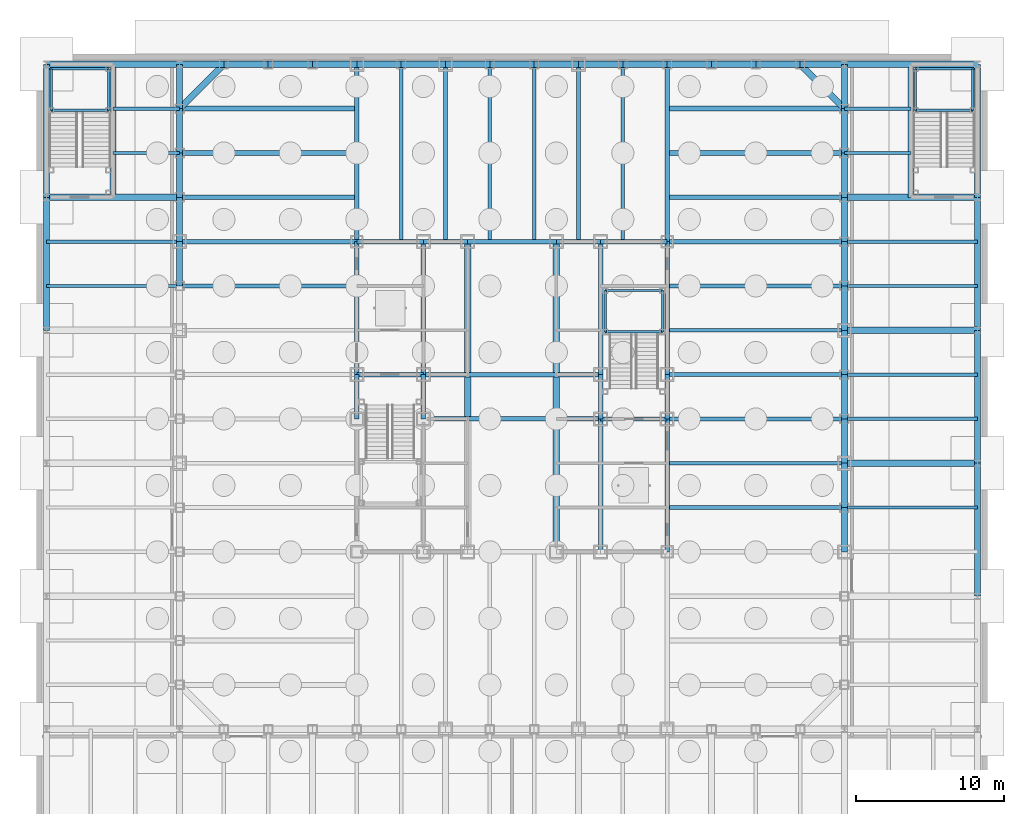
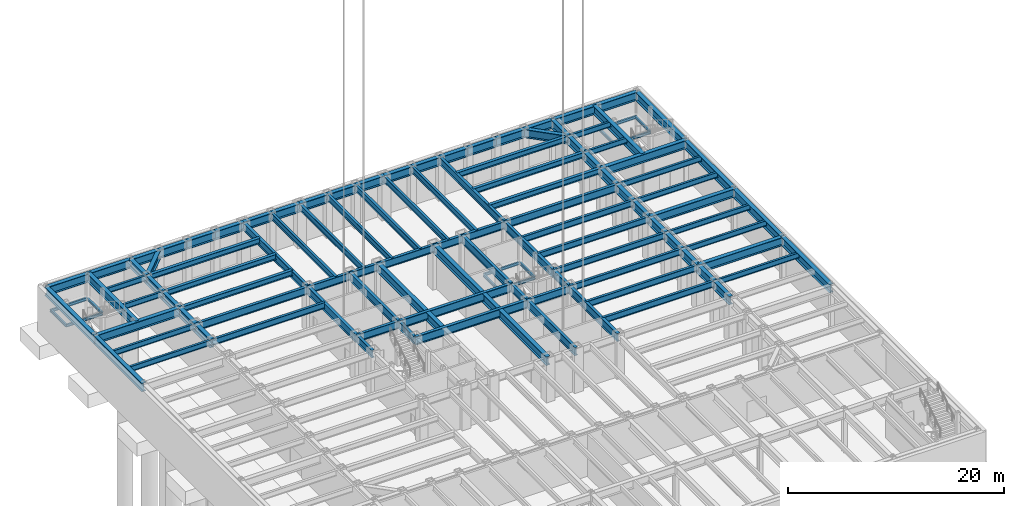
# One storey, part 5 of 18: 117 beams.
"""IFC4 building model written with IfcOpenShell, lengths in metres."""

from ifc_helpers import new_model, si_unit, direction, frame, origin, origin_2d, place, context, subcontext, project, spatial, i_section, extrude, material, material_profile, profile_set, type_object, element, save


model = new_model("IFC4")

# Units and contexts
model_context = context("Model", 3, precision=1e-05, world=origin(), true_north=direction((0.0, 1.0)))
body_context = subcontext(model_context, "Body", "Model", "MODEL_VIEW")
ifc_project = project(units=[si_unit("LENGTHUNIT", "METRE"), si_unit("AREAUNIT", "SQUARE_METRE"), si_unit("VOLUMEUNIT", "CUBIC_METRE"), si_unit("PLANEANGLEUNIT", "RADIAN"), si_unit("MASSUNIT", "GRAM", prefix="KILO")], contexts=[model_context])

# Site, building, storey
site_placement = place(None, origin())
site = spatial("IfcSite", under=ifc_project, at=site_placement, CompositionType="ELEMENT")
building_placement = place(site_placement, origin())
building = spatial("IfcBuilding", under=site, at=building_placement, Name="Chuquiago Exchange Tower", CompositionType="ELEMENT")
storey_placement = place(building_placement, frame((0.0, 0.0, -5.0)))
storey = spatial("IfcBuildingStorey", under=building, at=storey_placement, Name="B1", CompositionType="ELEMENT", Elevation=-5.0)

# Beams
ifc_material_1 = material(Name="Steel ASTM A992", Category="steel")
ifc_material_profile_1 = material_profile(ifc_material_1, i_section(OverallWidth=0.307373046875, OverallDepth=0.927001953125, WebThickness=0.01953125, FlangeThickness=0.031982421875, at=origin_2d()), Name="W36X194")
ifc_profile_set_1 = profile_set([ifc_material_profile_1], Name="Steel ASTM A992")
beam_type_1 = type_object("IfcBeamType", Name="B10 W36X194", PredefinedType="BEAM", material=ifc_profile_set_1)
for number, where, z_axis, x_axis, name in (
    (1, (12.0, 24.0, 4.33642578125), (0.0, 1.0, 0.0), (-1.0, 0.0, 0.0), "CB-L00-12_24-12_33"),
    (2, (16.5, 24.0, 4.33642578125), (0.0, 1.0, 0.0), (-1.0, 0.0, 0.0), "CB-L00-16.5_24-16.5_33"),
    (3, (28.5, 12.0, 4.33642578125), (0.0, 1.0, 0.0), (-1.0, 0.0, 0.0), "CB-L00-28.5_12-28.5_21"),
    (4, (28.5, 24.0, 4.33642578125), (0.0, 1.0, 0.0), (-1.0, 0.0, 0.0), "CB-L00-28.5_24-28.5_33"),
    (5, (33.0, 12.0, 4.33642578125), (0.0, 1.0, 0.0), (-1.0, 0.0, 0.0), "CB-L00-33_12-33_21"),
    (6, (33.0, 24.0, 4.33642578125), (0.0, 1.0, 0.0), (-1.0, 0.0, 0.0), "CB-L00-33_24-33_33"),
):
    element("IfcBeam", number, at=place(storey_placement, frame(where, z_axis=z_axis, x_axis=x_axis)), inside=storey, type_object=beam_type_1, Name=name, PredefinedType="BEAM", context=body_context, shape_type="SweptSolid", body=[
        extrude(i_section(OverallWidth=0.307373046875, OverallDepth=0.927001953125, WebThickness=0.01953125, FlangeThickness=0.031982421875, at=origin_2d()), origin(), (0.0, 0.0, 1.0), 9.0),
    ])
ifc_material_2 = material(Name="Steel ASTM A992", Category="steel")
ifc_material_profile_2 = material_profile(ifc_material_2, i_section(OverallWidth=0.309814453125, OverallDepth=0.949951171875, WebThickness=0.0244140625, FlangeThickness=0.0439453125, at=origin_2d()), Name="W36X256")
ifc_profile_set_2 = profile_set([ifc_material_profile_2], Name="Steel ASTM A992")
beam_type_2 = type_object("IfcBeamType", Name="B11 W36X256", PredefinedType="BEAM", material=ifc_profile_set_2)
for number, where, z_axis, x_axis, name in (
    (7, (16.5, 21.0, 4.324951171875), (1.0, 0.0, 0.0), (0.0, 1.0, 0.0), "CB-L00-16.5_21-28.5_21"),
    (8, (16.5, 24.0, 4.324951171875), (1.0, 0.0, 0.0), (0.0, 1.0, 0.0), "CB-L00-16.5_24-28.5_24"),
):
    element("IfcBeam", number, at=place(storey_placement, frame(where, z_axis=z_axis, x_axis=x_axis)), inside=storey, type_object=beam_type_2, Name=name, PredefinedType="BEAM", context=body_context, shape_type="SweptSolid", body=[
        extrude(i_section(OverallWidth=0.309814453125, OverallDepth=0.949951171875, WebThickness=0.0244140625, FlangeThickness=0.0439453125, at=origin_2d()), origin(), (0.0, 0.0, 1.0), 12.0),
    ])
ifc_material_3 = material(Name="Steel ASTM A992", Category="steel")
ifc_material_profile_3 = material_profile(ifc_material_3, i_section(OverallWidth=0.4267578125, OverallDepth=0.975341796875, WebThickness=0.031005859375, FlangeThickness=0.055908203125, at=origin_2d()), Name="W36X395")
ifc_profile_set_3 = profile_set([ifc_material_profile_3], Name="Steel ASTM A992")
beam_type_3 = type_object("IfcBeamType", Name="B12 W36X395", PredefinedType="BEAM", material=ifc_profile_set_3)
beam_1_placement = place(storey_placement, frame((19.5, 21.15478515625, 4.312255859375), z_axis=(0.0, 1.0, 0.0), x_axis=(-1.0, 0.0, 0.0)))
element("IfcBeam", 9, at=beam_1_placement, inside=storey, type_object=beam_type_3, Name="CB-L00-19.5_21.1549-19.5_23.8451", PredefinedType="BEAM", context=body_context, shape_type="SweptSolid", body=[
    extrude(i_section(OverallWidth=0.4267578125, OverallDepth=0.975341796875, WebThickness=0.031005859375, FlangeThickness=0.055908203125, at=origin_2d()), origin(), (0.0, 0.0, 1.0), 2.6904296875),
])
for number, where, z_axis, x_axis, name in (
    (10, (19.5, 24.15478515625, 4.312255859375), (0.0, 1.0, 0.0), (-1.0, 0.0, 0.0), "CB-L00-19.5_24.1549-19.5_33"),
    (11, (25.5, 12.0, 4.312255859375), (0.0, 1.0, 0.0), (-1.0, 0.0, 0.0), "CB-L00-25.5_12-25.5_20.8451"),
):
    element("IfcBeam", number, at=place(storey_placement, frame(where, z_axis=z_axis, x_axis=x_axis)), inside=storey, type_object=beam_type_3, Name=name, PredefinedType="BEAM", context=body_context, shape_type="SweptSolid", body=[
        extrude(i_section(OverallWidth=0.4267578125, OverallDepth=0.975341796875, WebThickness=0.031005859375, FlangeThickness=0.055908203125, at=origin_2d()), origin(), (0.0, 0.0, 1.0), 8.84521484375),
    ])
beam_2_placement = place(storey_placement, frame((25.5, 21.15478515625, 4.312255859375), z_axis=(0.0, 1.0, 0.0), x_axis=(-1.0, 0.0, 0.0)))
element("IfcBeam", 12, at=beam_2_placement, inside=storey, type_object=beam_type_3, Name="CB-L00-25.5_21.1549-25.5_23.8451", PredefinedType="BEAM", context=body_context, shape_type="SweptSolid", body=[
    extrude(i_section(OverallWidth=0.4267578125, OverallDepth=0.975341796875, WebThickness=0.031005859375, FlangeThickness=0.055908203125, at=origin_2d()), origin(), (0.0, 0.0, 1.0), 2.6904296875),
])
beam_3_placement = place(storey_placement, frame((25.5, 24.15478515625, 4.312255859375), z_axis=(0.0, 1.0, 0.0), x_axis=(-1.0, 0.0, 0.0)))
element("IfcBeam", 13, at=beam_3_placement, inside=storey, type_object=beam_type_3, Name="CB-L00-25.5_24.1549-25.5_33", PredefinedType="BEAM", context=body_context, shape_type="SweptSolid", body=[
    extrude(i_section(OverallWidth=0.4267578125, OverallDepth=0.975341796875, WebThickness=0.031005859375, FlangeThickness=0.055908203125, at=origin_2d()), origin(), (0.0, 0.0, 1.0), 8.84521484375),
])
ifc_material_4 = material(Name="Steel ASTM A992", Category="steel")
ifc_material_profile_4 = material_profile(ifc_material_4, i_section(OverallWidth=0.2919921875, OverallDepth=0.8583984375, WebThickness=0.01708984375, FlangeThickness=0.031005859375, at=origin_2d()), Name="W33X169")
ifc_profile_set_4 = profile_set([ifc_material_profile_4], Name="Steel ASTM A992")
beam_type_4 = type_object("IfcBeamType", Name="B3 W33X169", PredefinedType="BEAM", material=ifc_profile_set_4)
for number, where, z_axis, x_axis, name in (
    (14, (12.0, 21.0, 4.37060546875), (0.0, 1.0, 0.0), (-1.0, 0.0, 0.0), "CB-L00-12_21-12_24"),
    (15, (16.5, 21.0, 4.37060546875), (0.0, 1.0, 0.0), (-1.0, 0.0, 0.0), "CB-L00-16.5_21-16.5_24"),
    (16, (28.5, 21.0, 4.37060546875), (0.0, 1.0, 0.0), (-1.0, 0.0, 0.0), "CB-L00-28.5_21-28.5_24"),
    (17, (33.0, 21.0, 4.37060546875), (0.0, 1.0, 0.0), (-1.0, 0.0, 0.0), "CB-L00-33_21-33_24"),
):
    element("IfcBeam", number, at=place(storey_placement, frame(where, z_axis=z_axis, x_axis=x_axis)), inside=storey, type_object=beam_type_4, Name=name, PredefinedType="BEAM", context=body_context, shape_type="SweptSolid", body=[
        extrude(i_section(OverallWidth=0.2919921875, OverallDepth=0.8583984375, WebThickness=0.01708984375, FlangeThickness=0.031005859375, at=origin_2d()), origin(), (0.0, 0.0, 1.0), 3.0),
    ])
for number, where, z_axis, x_axis, name in (
    (18, (28.5, 21.0, 4.37060546875), (1.0, 0.0, 0.0), (0.0, 1.0, 0.0), "CB-L00-28.5_21-33_21"),
    (19, (12.0, 24.0, 4.37060546875), (1.0, 0.0, 0.0), (0.0, 1.0, 0.0), "CB-L00-12_24-16.5_24"),
    (20, (12.0, 33.0, 4.37060546875), (1.0, 0.0, 0.0), (0.0, 1.0, 0.0), "CB-L00-12_33-16.5_33"),
):
    element("IfcBeam", number, at=place(storey_placement, frame(where, z_axis=z_axis, x_axis=x_axis)), inside=storey, type_object=beam_type_4, Name=name, PredefinedType="BEAM", context=body_context, shape_type="SweptSolid", body=[
        extrude(i_section(OverallWidth=0.2919921875, OverallDepth=0.8583984375, WebThickness=0.01708984375, FlangeThickness=0.031005859375, at=origin_2d()), origin(), (0.0, 0.0, 1.0), 4.5),
    ])
beam_4_placement = place(storey_placement, frame((16.5, 33.0, 4.37060546875), z_axis=(1.0, 0.0, 0.0), x_axis=(0.0, 1.0, 0.0)))
element("IfcBeam", 21, at=beam_4_placement, inside=storey, type_object=beam_type_4, Name="CB-L00-16.5_33-19.5_33", PredefinedType="BEAM", context=body_context, shape_type="SweptSolid", body=[
    extrude(i_section(OverallWidth=0.2919921875, OverallDepth=0.8583984375, WebThickness=0.01708984375, FlangeThickness=0.031005859375, at=origin_2d()), origin(), (0.0, 0.0, 1.0), 3.0),
])
beam_5_placement = place(storey_placement, frame((19.5, 33.0, 4.37060546875), z_axis=(1.0, 0.0, 0.0), x_axis=(0.0, 1.0, 0.0)))
element("IfcBeam", 22, at=beam_5_placement, inside=storey, type_object=beam_type_4, Name="CB-L00-19.5_33-25.5_33", PredefinedType="BEAM", context=body_context, shape_type="SweptSolid", body=[
    extrude(i_section(OverallWidth=0.2919921875, OverallDepth=0.8583984375, WebThickness=0.01708984375, FlangeThickness=0.031005859375, at=origin_2d()), origin(), (0.0, 0.0, 1.0), 6.0),
])
beam_6_placement = place(storey_placement, frame((25.5, 33.0, 4.37060546875), z_axis=(1.0, 0.0, 0.0), x_axis=(0.0, 1.0, 0.0)))
element("IfcBeam", 23, at=beam_6_placement, inside=storey, type_object=beam_type_4, Name="CB-L00-25.5_33-28.5_33", PredefinedType="BEAM", context=body_context, shape_type="SweptSolid", body=[
    extrude(i_section(OverallWidth=0.2919921875, OverallDepth=0.8583984375, WebThickness=0.01708984375, FlangeThickness=0.031005859375, at=origin_2d()), origin(), (0.0, 0.0, 1.0), 3.0),
])
beam_7_placement = place(storey_placement, frame((28.5, 33.0, 4.37060546875), z_axis=(1.0, 0.0, 0.0), x_axis=(0.0, 1.0, 0.0)))
element("IfcBeam", 24, at=beam_7_placement, inside=storey, type_object=beam_type_4, Name="CB-L00-28.5_33-33_33", PredefinedType="BEAM", context=body_context, shape_type="SweptSolid", body=[
    extrude(i_section(OverallWidth=0.2919921875, OverallDepth=0.8583984375, WebThickness=0.01708984375, FlangeThickness=0.031005859375, at=origin_2d()), origin(), (0.0, 0.0, 1.0), 4.5),
])
ifc_material_5 = material(Name="Steel ASTM A992", Category="steel")
ifc_material_profile_5 = material_profile(ifc_material_5, i_section(OverallWidth=0.256591796875, OverallDepth=0.693359375, WebThickness=0.014404296875, FlangeThickness=0.023681640625, at=origin_2d()), Name="W27X114")
ifc_profile_set_5 = profile_set([ifc_material_profile_5], Name="Steel ASTM A992")
beam_type_5 = type_object("IfcBeamType", Name="B4 W27X114", PredefinedType="BEAM", material=ifc_profile_set_5)
for number, where, z_axis, x_axis, name in (
    (25, (15.0, 33.0, 4.453369140625), (0.0, 1.0, 0.0), (-1.0, 0.0, 0.0), "FB-L00-infill-15_33-15_45-0"),
    (26, (18.0, 33.0, 4.453369140625), (0.0, 1.0, 0.0), (-1.0, 0.0, 0.0), "FB-L00-infill-18_33-18_45-0"),
    (27, (21.0, 33.0, 4.453369140625), (0.0, 1.0, 0.0), (-1.0, 0.0, 0.0), "FB-L00-infill-21_33-21_45-0"),
    (28, (24.0, 33.0, 4.453369140625), (0.0, 1.0, 0.0), (-1.0, 0.0, 0.0), "FB-L00-infill-24_33-24_45-0"),
    (29, (27.0, 33.0, 4.453369140625), (0.0, 1.0, 0.0), (-1.0, 0.0, 0.0), "FB-L00-infill-27_33-27_45-0"),
    (30, (30.0, 33.0, 4.453369140625), (0.0, 1.0, 0.0), (-1.0, 0.0, 0.0), "FB-L00-infill-30_33-30_45-0"),
    (31, (33.0, 15.0, 4.453369140625), (1.0, 0.0, 0.0), (0.0, 1.0, 0.0), "FB-L00-infill-33_15-45_15-0"),
    (32, (33.0, 18.0, 4.453369140625), (1.0, 0.0, 0.0), (0.0, 1.0, 0.0), "FB-L00-infill-33_18-45_18-0"),
    (33, (33.0, 21.0, 4.453369140625), (1.0, 0.0, 0.0), (0.0, 1.0, 0.0), "FB-L00-infill-33_21-45_21-0"),
    (34, (33.0, 24.0, 4.453369140625), (1.0, 0.0, 0.0), (0.0, 1.0, 0.0), "FB-L00-infill-33_24-45_24-0"),
    (35, (33.0, 27.0, 4.453369140625), (1.0, 0.0, 0.0), (0.0, 1.0, 0.0), "FB-L00-infill-33_27-45_27-0"),
    (36, (33.0, 30.0, 4.453369140625), (1.0, 0.0, 0.0), (0.0, 1.0, 0.0), "FB-L00-infill-33_30-45_30-0"),
    (37, (12.0, 30.0, 4.453369140625), (-1.0, 0.0, 0.0), (0.0, -1.0, 0.0), "FB-L00-infill-12_30--0_30-0"),
):
    element("IfcBeam", number, at=place(storey_placement, frame(where, z_axis=z_axis, x_axis=x_axis)), inside=storey, type_object=beam_type_5, Name=name, PredefinedType="BEAM", context=body_context, shape_type="SweptSolid", body=[
        extrude(i_section(OverallWidth=0.256591796875, OverallDepth=0.693359375, WebThickness=0.014404296875, FlangeThickness=0.023681640625, at=origin_2d()), origin(), (0.0, 0.0, 1.0), 12.0),
    ])
ifc_material_6 = material(Name="Steel ASTM A992", Category="steel")
ifc_material_profile_6 = material_profile(ifc_material_6, i_section(OverallWidth=0.3251953125, OverallDepth=0.6171875, WebThickness=0.013916015625, FlangeThickness=0.021484375, at=origin_2d()), Name="W24X117")
ifc_profile_set_6 = profile_set([ifc_material_profile_6], Name="Steel ASTM A992")
beam_type_6 = type_object("IfcBeamType", Name="B5 W24X117", PredefinedType="BEAM", material=ifc_profile_set_6)
for number, where, z_axis, x_axis, name in (
    (38, (12.0, 36.0, 4.491455078125), (-1.0, 0.0, 0.0), (0.0, -1.0, 0.0), "FB-L00-corner-12_36--0_36-0"),
    (39, (12.0, 39.0, 4.491455078125), (-1.0, 0.0, 0.0), (0.0, -1.0, 0.0), "FB-L00-corner-12_39--0_39-0"),
    (40, (12.0, 42.0, 4.491455078125), (-1.0, 0.0, 0.0), (0.0, -1.0, 0.0), "FB-L00-corner-12_42--0_42-0"),
    (41, (33.0, 36.0, 4.491455078125), (1.0, 0.0, 0.0), (0.0, 1.0, 0.0), "FB-L00-corner-33_36-45_36-0"),
    (42, (33.0, 39.0, 4.491455078125), (1.0, 0.0, 0.0), (0.0, 1.0, 0.0), "FB-L00-corner-33_39-45_39-0"),
    (43, (33.0, 42.0, 4.491455078125), (1.0, 0.0, 0.0), (0.0, 1.0, 0.0), "FB-L00-corner-33_42-45_42-0"),
):
    element("IfcBeam", number, at=place(storey_placement, frame(where, z_axis=z_axis, x_axis=x_axis)), inside=storey, type_object=beam_type_6, Name=name, PredefinedType="BEAM", context=body_context, shape_type="SweptSolid", body=[
        extrude(i_section(OverallWidth=0.3251953125, OverallDepth=0.6171875, WebThickness=0.013916015625, FlangeThickness=0.021484375, at=origin_2d()), origin(), (0.0, 0.0, 1.0), 12.0),
    ])
ifc_material_7 = material(Name="Steel ASTM A992", Category="steel")
ifc_material_profile_7 = material_profile(ifc_material_7, i_section(OverallWidth=0.2919921875, OverallDepth=0.8583984375, WebThickness=0.01708984375, FlangeThickness=0.031005859375, at=origin_2d()), Name="W33X169")
ifc_profile_set_7 = profile_set([ifc_material_profile_7], Name="Steel ASTM A992")
beam_type_7 = type_object("IfcBeamType", Name="G2 W33X169", PredefinedType="BEAM", material=ifc_profile_set_7)
for number, where, z_axis, x_axis, name in (
    (44, (12.0, 33.0, 4.37060546875), (0.0, 1.0, 0.0), (-1.0, 0.0, 0.0), "FB-L00-girder-12_33-12_45-0"),
    (45, (33.0, 33.0, 4.37060546875), (0.0, 1.0, 0.0), (-1.0, 0.0, 0.0), "FB-L00-girder-33_33-33_45-0"),
    (46, (33.0, 33.0, 4.37060546875), (1.0, 0.0, 0.0), (0.0, 1.0, 0.0), "FB-L00-girder-33_33-45_33-0"),
    (47, (12.0, 33.0, 4.37060546875), (-1.0, 0.0, 0.0), (0.0, -1.0, 0.0), "FB-L00-girder-12_33--0_33-0"),
):
    element("IfcBeam", number, at=place(storey_placement, frame(where, z_axis=z_axis, x_axis=x_axis)), inside=storey, type_object=beam_type_7, Name=name, PredefinedType="BEAM", context=body_context, shape_type="SweptSolid", body=[
        extrude(i_section(OverallWidth=0.2919921875, OverallDepth=0.8583984375, WebThickness=0.01708984375, FlangeThickness=0.031005859375, at=origin_2d()), origin(), (0.0, 0.0, 1.0), 12.0),
    ])
ifc_material_8 = material(Name="Steel ASTM A992", Category="steel")
ifc_material_profile_8 = material_profile(ifc_material_8, i_section(OverallWidth=0.164794921875, OverallDepth=0.309814453125, WebThickness=0.005859375, FlangeThickness=0.009765625, at=origin_2d()), Name="W12X26")
ifc_profile_set_8 = profile_set([ifc_material_profile_8], Name="Steel ASTM A992")
beam_type_8 = type_object("IfcBeamType", Name="LS1 W12X26", PredefinedType="BEAM", material=ifc_profile_set_8)
for number, where, z_axis, x_axis, name in (
    (48, (28.81005859375, 26.889892578125, 2.14501953125), (0.0, 1.0, 0.0), (-1.0, 0.0, 0.0), "Stair ST2 B1 landing 1 stringer"),
    (49, (32.68994140625, 26.889892578125, 2.14501953125), (0.0, 1.0, 0.0), (-1.0, 0.0, 0.0), "Stair ST2 B1 landing 1 stringer"),
    (50, (-8.68994140625, 41.889892578125, 2.14501953125), (0.0, 1.0, 0.0), (-1.0, 0.0, 0.0), "Stair PS3 B1 landing 1 stringer"),
    (51, (-4.81005859375, 41.889892578125, 2.14501953125), (0.0, 1.0, 0.0), (-1.0, 0.0, 0.0), "Stair PS3 B1 landing 1 stringer"),
    (52, (49.81005859375, 41.889892578125, 2.14501953125), (0.0, 1.0, 0.0), (-1.0, 0.0, 0.0), "Stair PS4 B1 landing 1 stringer"),
    (53, (53.68994140625, 41.889892578125, 2.14501953125), (0.0, 1.0, 0.0), (-1.0, 0.0, 0.0), "Stair PS4 B1 landing 1 stringer"),
):
    element("IfcBeam", number, at=place(storey_placement, frame(where, z_axis=z_axis, x_axis=x_axis)), inside=storey, type_object=beam_type_8, Name=name, PredefinedType="BEAM", context=body_context, shape_type="SweptSolid", body=[
        extrude(i_section(OverallWidth=0.164794921875, OverallDepth=0.309814453125, WebThickness=0.005859375, FlangeThickness=0.009765625, at=origin_2d()), origin(), (0.0, 0.0, 1.0), 2.800048828125),
    ])
ifc_material_9 = material(Name="Steel ASTM A992", Category="steel")
ifc_material_profile_9 = material_profile(ifc_material_9, i_section(OverallWidth=0.164794921875, OverallDepth=0.309814453125, WebThickness=0.005859375, FlangeThickness=0.009765625, at=origin_2d()), Name="W12X26")
ifc_profile_set_9 = profile_set([ifc_material_profile_9], Name="Steel ASTM A992")
beam_type_9 = type_object("IfcBeamType", Name="LT1 W12X26", PredefinedType="BEAM", material=ifc_profile_set_9)
for number, where, z_axis, x_axis, name in (
    (54, (28.81005859375, 29.68994140625, 2.14501953125), (1.0, 0.0, 0.0), (0.0, 1.0, 0.0), "Stair ST2 B1 landing 1 trimmer"),
    (55, (28.81005859375, 26.889892578125, 2.14501953125), (1.0, 0.0, 0.0), (0.0, 1.0, 0.0), "Stair ST2 B1 landing 1 trimmer"),
):
    element("IfcBeam", number, at=place(storey_placement, frame(where, z_axis=z_axis, x_axis=x_axis)), inside=storey, type_object=beam_type_9, Name=name, PredefinedType="BEAM", context=body_context, shape_type="SweptSolid", body=[
        extrude(i_section(OverallWidth=0.164794921875, OverallDepth=0.309814453125, WebThickness=0.005859375, FlangeThickness=0.009765625, at=origin_2d()), origin(), (0.0, 0.0, 1.0), 3.8798828125),
    ])
beam_8_placement = place(storey_placement, frame((-8.814208984375, 44.68994140625, 2.14501953125), z_axis=(1.0, 0.0, 0.0), x_axis=(0.0, 1.0, 0.0)))
element("IfcBeam", 56, at=beam_8_placement, inside=storey, type_object=beam_type_9, Name="Stair PS3 B1 landing 1 trimmer", PredefinedType="BEAM", context=body_context, shape_type="SweptSolid", body=[
    extrude(i_section(OverallWidth=0.164794921875, OverallDepth=0.309814453125, WebThickness=0.005859375, FlangeThickness=0.009765625, at=origin_2d()), origin(), (0.0, 0.0, 1.0), 4.004150390625),
])
beam_9_placement = place(storey_placement, frame((-8.68994140625, 41.889892578125, 2.14501953125), z_axis=(1.0, 0.0, 0.0), x_axis=(0.0, 1.0, 0.0)))
element("IfcBeam", 57, at=beam_9_placement, inside=storey, type_object=beam_type_9, Name="Stair PS3 B1 landing 1 trimmer", PredefinedType="BEAM", context=body_context, shape_type="SweptSolid", body=[
    extrude(i_section(OverallWidth=0.164794921875, OverallDepth=0.309814453125, WebThickness=0.005859375, FlangeThickness=0.009765625, at=origin_2d()), origin(), (0.0, 0.0, 1.0), 3.8798828125),
])
beam_10_placement = place(storey_placement, frame((49.81005859375, 44.68994140625, 2.14501953125), z_axis=(1.0, 0.0, 0.0), x_axis=(0.0, 1.0, 0.0)))
element("IfcBeam", 58, at=beam_10_placement, inside=storey, type_object=beam_type_9, Name="Stair PS4 B1 landing 1 trimmer", PredefinedType="BEAM", context=body_context, shape_type="SweptSolid", body=[
    extrude(i_section(OverallWidth=0.164794921875, OverallDepth=0.309814453125, WebThickness=0.005859375, FlangeThickness=0.009765625, at=origin_2d()), origin(), (0.0, 0.0, 1.0), 4.004150390625),
])
beam_11_placement = place(storey_placement, frame((49.81005859375, 41.889892578125, 2.14501953125), z_axis=(1.0, 0.0, 0.0), x_axis=(0.0, 1.0, 0.0)))
element("IfcBeam", 59, at=beam_11_placement, inside=storey, type_object=beam_type_9, Name="Stair PS4 B1 landing 1 trimmer", PredefinedType="BEAM", context=body_context, shape_type="SweptSolid", body=[
    extrude(i_section(OverallWidth=0.164794921875, OverallDepth=0.309814453125, WebThickness=0.005859375, FlangeThickness=0.009765625, at=origin_2d()), origin(), (0.0, 0.0, 1.0), 3.8798828125),
])
ifc_material_10 = material(Name="Steel ASTM A992", Category="steel")
ifc_material_profile_10 = material_profile(ifc_material_10, i_section(OverallWidth=0.227783203125, OverallDepth=0.60205078125, WebThickness=0.010498046875, FlangeThickness=0.014892578125, at=origin_2d()), Name="W24X68")
ifc_profile_set_10 = profile_set([ifc_material_profile_10], Name="Steel ASTM A992")
beam_type_10 = type_object("IfcBeamType", Name="PB1 W24X68", PredefinedType="BEAM", material=ifc_profile_set_10)
for number, where, z_axis, x_axis, name in (
    (60, (45.0, 15.0, 4.4990234375), (1.0, 0.0, 0.0), (0.0, 1.0, 0.0), "PB-L00-45_15"),
    (61, (45.0, 21.0, 4.4990234375), (1.0, 0.0, 0.0), (0.0, 1.0, 0.0), "PB-L00-45_21"),
    (62, (45.0, 24.0, 4.4990234375), (1.0, 0.0, 0.0), (0.0, 1.0, 0.0), "PB-L00-45_24"),
    (63, (-9.0, 30.0, 4.4990234375), (1.0, 0.0, 0.0), (0.0, 1.0, 0.0), "PB-L00--9_30"),
    (64, (45.0, 30.0, 4.4990234375), (1.0, 0.0, 0.0), (0.0, 1.0, 0.0), "PB-L00-45_30"),
    (65, (-9.0, 33.0, 4.4990234375), (1.0, 0.0, 0.0), (0.0, 1.0, 0.0), "PB-L00--9_33"),
    (66, (45.0, 33.0, 4.4990234375), (1.0, 0.0, 0.0), (0.0, 1.0, 0.0), "PB-L00-45_33"),
):
    element("IfcBeam", number, at=place(storey_placement, frame(where, z_axis=z_axis, x_axis=x_axis)), inside=storey, type_object=beam_type_10, Name=name, PredefinedType="BEAM", context=body_context, shape_type="SweptSolid", body=[
        extrude(i_section(OverallWidth=0.227783203125, OverallDepth=0.60205078125, WebThickness=0.010498046875, FlangeThickness=0.014892578125, at=origin_2d()), origin(), (0.0, 0.0, 1.0), 9.0),
    ])
for number, where, z_axis, x_axis, name in (
    (67, (-4.5, 39.0, 4.4990234375), (1.0, 0.0, 0.0), (0.0, 1.0, 0.0), "PB-L00--4.5_39"),
    (68, (45.0, 39.0, 4.4990234375), (1.0, 0.0, 0.0), (0.0, 1.0, 0.0), "PB-L00-45_39"),
    (69, (-4.5, 42.0, 4.4990234375), (1.0, 0.0, 0.0), (0.0, 1.0, 0.0), "PB-L00--4.5_42"),
    (70, (45.0, 42.0, 4.4990234375), (1.0, 0.0, 0.0), (0.0, 1.0, 0.0), "PB-L00-45_42"),
):
    element("IfcBeam", number, at=place(storey_placement, frame(where, z_axis=z_axis, x_axis=x_axis)), inside=storey, type_object=beam_type_10, Name=name, PredefinedType="BEAM", context=body_context, shape_type="SweptSolid", body=[
        extrude(i_section(OverallWidth=0.227783203125, OverallDepth=0.60205078125, WebThickness=0.010498046875, FlangeThickness=0.014892578125, at=origin_2d()), origin(), (0.0, 0.0, 1.0), 4.5),
    ])
ifc_material_11 = material(Name="Steel ASTM A992", Category="steel")
ifc_material_profile_11 = material_profile(ifc_material_11, i_section(OverallWidth=0.424072265625, OverallDepth=0.947509765625, WebThickness=0.02392578125, FlangeThickness=0.042724609375, at=origin_2d()), Name="W36X302")
ifc_profile_set_11 = profile_set([ifc_material_profile_11], Name="Steel ASTM A992")
beam_type_11 = type_object("IfcBeamType", Name="PG1 W36X302", PredefinedType="BEAM", material=ifc_profile_set_11)
for number, where, z_axis, x_axis, name in (
    (71, (-9.0, 27.0, 4.326416015625), (0.0, 1.0, 0.0), (-1.0, 0.0, 0.0), "PG-L00--9_27--9_36"),
    (72, (-9.0, 36.0, 4.326416015625), (0.0, 1.0, 0.0), (-1.0, 0.0, 0.0), "PG-L00--9_36--9_45"),
):
    element("IfcBeam", number, at=place(storey_placement, frame(where, z_axis=z_axis, x_axis=x_axis)), inside=storey, type_object=beam_type_11, Name=name, PredefinedType="BEAM", context=body_context, shape_type="SweptSolid", body=[
        extrude(i_section(OverallWidth=0.424072265625, OverallDepth=0.947509765625, WebThickness=0.02392578125, FlangeThickness=0.042724609375, at=origin_2d()), origin(), (0.0, 0.0, 1.0), 9.0),
    ])
for number, where, z_axis, x_axis, name in (
    (73, (0.0, 42.0, 4.326416015625), (0.0, 1.0, 0.0), (-1.0, 0.0, 0.0), "PG-L00-0_42-0_45"),
    (74, (45.0, 42.0, 4.326416015625), (0.0, 1.0, 0.0), (-1.0, 0.0, 0.0), "PG-L00-45_42-45_45"),
):
    element("IfcBeam", number, at=place(storey_placement, frame(where, z_axis=z_axis, x_axis=x_axis)), inside=storey, type_object=beam_type_11, Name=name, PredefinedType="BEAM", context=body_context, shape_type="SweptSolid", body=[
        extrude(i_section(OverallWidth=0.424072265625, OverallDepth=0.947509765625, WebThickness=0.02392578125, FlangeThickness=0.042724609375, at=origin_2d()), origin(), (0.0, 0.0, 1.0), 3.0),
    ])
for number, where, z_axis, x_axis, name in (
    (75, (54.0, 9.0, 4.326416015625), (0.0, 1.0, 0.0), (-1.0, 0.0, 0.0), "PG-L00-54_9-54_18"),
    (76, (54.0, 18.0, 4.326416015625), (0.0, 1.0, 0.0), (-1.0, 0.0, 0.0), "PG-L00-54_18-54_27"),
    (77, (54.0, 27.0, 4.326416015625), (0.0, 1.0, 0.0), (-1.0, 0.0, 0.0), "PG-L00-54_27-54_36"),
    (78, (54.0, 36.0, 4.326416015625), (0.0, 1.0, 0.0), (-1.0, 0.0, 0.0), "PG-L00-54_36-54_45"),
    (79, (45.0, 18.0, 4.326416015625), (1.0, 0.0, 0.0), (0.0, 1.0, 0.0), "PG-L00-45_18-54_18"),
    (80, (45.0, 27.0, 4.326416015625), (1.0, 0.0, 0.0), (0.0, 1.0, 0.0), "PG-L00-45_27-54_27"),
    (81, (-9.0, 36.0, 4.326416015625), (1.0, 0.0, 0.0), (0.0, 1.0, 0.0), "PG-L00--9_36-0_36"),
    (82, (45.0, 36.0, 4.326416015625), (1.0, 0.0, 0.0), (0.0, 1.0, 0.0), "PG-L00-45_36-54_36"),
    (83, (-9.0, 45.0, 4.326416015625), (1.0, 0.0, 0.0), (0.0, 1.0, 0.0), "PG-L00--9_45-0_45"),
):
    element("IfcBeam", number, at=place(storey_placement, frame(where, z_axis=z_axis, x_axis=x_axis)), inside=storey, type_object=beam_type_11, Name=name, PredefinedType="BEAM", context=body_context, shape_type="SweptSolid", body=[
        extrude(i_section(OverallWidth=0.424072265625, OverallDepth=0.947509765625, WebThickness=0.02392578125, FlangeThickness=0.042724609375, at=origin_2d()), origin(), (0.0, 0.0, 1.0), 9.0),
    ])
for number, where, z_axis, x_axis, name in (
    (84, (0.0, 45.0, 4.326416015625), (1.0, 0.0, 0.0), (0.0, 1.0, 0.0), "PG-L00-0_45-3_45"),
    (85, (42.0, 45.0, 4.326416015625), (1.0, 0.0, 0.0), (0.0, 1.0, 0.0), "PG-L00-42_45-45_45"),
):
    element("IfcBeam", number, at=place(storey_placement, frame(where, z_axis=z_axis, x_axis=x_axis)), inside=storey, type_object=beam_type_11, Name=name, PredefinedType="BEAM", context=body_context, shape_type="SweptSolid", body=[
        extrude(i_section(OverallWidth=0.424072265625, OverallDepth=0.947509765625, WebThickness=0.02392578125, FlangeThickness=0.042724609375, at=origin_2d()), origin(), (0.0, 0.0, 1.0), 3.0),
    ])
for number, where, z_axis, x_axis, name in (
    (86, (45.0, 45.0, 4.326416015625), (1.0, 0.0, 0.0), (0.0, 1.0, 0.0), "PG-L00-45_45-54_45"),
    (87, (-4.5, 36.0, 4.326416015625), (0.0, 1.0, 0.0), (-1.0, 0.0, 0.0), "PT-L00-PS3"),
    (88, (49.5, 36.0, 4.326416015625), (0.0, 1.0, 0.0), (-1.0, 0.0, 0.0), "PT-L00-PS4"),
):
    element("IfcBeam", number, at=place(storey_placement, frame(where, z_axis=z_axis, x_axis=x_axis)), inside=storey, type_object=beam_type_11, Name=name, PredefinedType="BEAM", context=body_context, shape_type="SweptSolid", body=[
        extrude(i_section(OverallWidth=0.424072265625, OverallDepth=0.947509765625, WebThickness=0.02392578125, FlangeThickness=0.042724609375, at=origin_2d()), origin(), (0.0, 0.0, 1.0), 9.0),
    ])
ifc_material_12 = material(Name="Steel ASTM A992", Category="steel")
ifc_material_profile_12 = material_profile(ifc_material_12, i_section(OverallWidth=0.4267578125, OverallDepth=0.95751953125, WebThickness=0.028564453125, FlangeThickness=0.050048828125, at=origin_2d()), Name="W36X361")
ifc_profile_set_12 = profile_set([ifc_material_profile_12], Name="Steel ASTM A992")
beam_type_12 = type_object("IfcBeamType", Name="SP1 W36X361", PredefinedType="SPANDREL", material=ifc_profile_set_12)
for number, where, z_axis, x_axis, name in (
    (89, (45.0, 12.0, 4.3212890625), (0.0, 1.0, 0.0), (-1.0, 0.0, 0.0), "SPB-L00-45_12-45_15"),
    (90, (45.0, 15.0, 4.3212890625), (0.0, 1.0, 0.0), (-1.0, 0.0, 0.0), "SPB-L00-45_15-45_18"),
    (91, (45.0, 18.0, 4.3212890625), (0.0, 1.0, 0.0), (-1.0, 0.0, 0.0), "SPB-L00-45_18-45_21"),
    (92, (45.0, 21.0, 4.3212890625), (0.0, 1.0, 0.0), (-1.0, 0.0, 0.0), "SPB-L00-45_21-45_24"),
    (93, (45.0, 24.0, 4.3212890625), (0.0, 1.0, 0.0), (-1.0, 0.0, 0.0), "SPB-L00-45_24-45_27"),
    (94, (45.0, 27.0, 4.3212890625), (0.0, 1.0, 0.0), (-1.0, 0.0, 0.0), "SPB-L00-45_27-45_30"),
    (95, (45.0, 30.0, 4.3212890625), (0.0, 1.0, 0.0), (-1.0, 0.0, 0.0), "SPB-L00-45_30-45_33"),
    (96, (45.0, 33.0, 4.3212890625), (0.0, 1.0, 0.0), (-1.0, 0.0, 0.0), "SPB-L00-45_33-45_36"),
    (97, (45.0, 36.0, 4.3212890625), (0.0, 1.0, 0.0), (-1.0, 0.0, 0.0), "SPB-L00-45_36-45_39"),
    (98, (45.0, 39.0, 4.3212890625), (0.0, 1.0, 0.0), (-1.0, 0.0, 0.0), "SPB-L00-45_39-45_42"),
):
    element("IfcBeam", number, at=place(storey_placement, frame(where, z_axis=z_axis, x_axis=x_axis)), inside=storey, type_object=beam_type_12, Name=name, PredefinedType="SPANDREL", context=body_context, shape_type="SweptSolid", body=[
        extrude(i_section(OverallWidth=0.4267578125, OverallDepth=0.95751953125, WebThickness=0.028564453125, FlangeThickness=0.050048828125, at=origin_2d()), origin(), (0.0, 0.0, 1.0), 3.0),
    ])
beam_12_placement = place(storey_placement, frame((45.0, 42.0, 4.3212890625), z_axis=(-0.707106781187, 0.707106781187, 0.0), x_axis=(-0.707106781187, -0.707106781187, 0.0)))
element("IfcBeam", 99, at=beam_12_placement, inside=storey, type_object=beam_type_12, Name="SPB-L00-45_42-42_45", PredefinedType="SPANDREL", context=body_context, shape_type="SweptSolid", body=[
    extrude(i_section(OverallWidth=0.4267578125, OverallDepth=0.95751953125, WebThickness=0.028564453125, FlangeThickness=0.050048828125, at=origin_2d()), origin(), (0.0, 0.0, 1.0), 4.24267578125),
])
for number, where, z_axis, x_axis, name in (
    (100, (42.0, 45.0, 4.3212890625), (-1.0, 0.0, 0.0), (0.0, -1.0, 0.0), "SPB-L00-42_45-39_45"),
    (101, (39.0, 45.0, 4.3212890625), (-1.0, 0.0, 0.0), (0.0, -1.0, 0.0), "SPB-L00-39_45-36_45"),
    (102, (36.0, 45.0, 4.3212890625), (-1.0, 0.0, 0.0), (0.0, -1.0, 0.0), "SPB-L00-36_45-33_45"),
    (103, (33.0, 45.0, 4.3212890625), (-1.0, 0.0, 0.0), (0.0, -1.0, 0.0), "SPB-L00-33_45-30_45"),
    (104, (30.0, 45.0, 4.3212890625), (-1.0, 0.0, 0.0), (0.0, -1.0, 0.0), "SPB-L00-30_45-27_45"),
    (105, (27.0, 45.0, 4.3212890625), (-1.0, 0.0, 0.0), (0.0, -1.0, 0.0), "SPB-L00-27_45-24_45"),
    (106, (24.0, 45.0, 4.3212890625), (-1.0, 0.0, 0.0), (0.0, -1.0, 0.0), "SPB-L00-24_45-21_45"),
    (107, (21.0, 45.0, 4.3212890625), (-1.0, 0.0, 0.0), (0.0, -1.0, 0.0), "SPB-L00-21_45-18_45"),
    (108, (18.0, 45.0, 4.3212890625), (-1.0, 0.0, 0.0), (0.0, -1.0, 0.0), "SPB-L00-18_45-15_45"),
    (109, (15.0, 45.0, 4.3212890625), (-1.0, 0.0, 0.0), (0.0, -1.0, 0.0), "SPB-L00-15_45-12_45"),
    (110, (12.0, 45.0, 4.3212890625), (-1.0, 0.0, 0.0), (0.0, -1.0, 0.0), "SPB-L00-12_45-9_45"),
    (111, (9.0, 45.0, 4.3212890625), (-1.0, 0.0, 0.0), (0.0, -1.0, 0.0), "SPB-L00-9_45-6_45"),
    (112, (6.0, 45.0, 4.3212890625), (-1.0, 0.0, 0.0), (0.0, -1.0, 0.0), "SPB-L00-6_45-3_45"),
):
    element("IfcBeam", number, at=place(storey_placement, frame(where, z_axis=z_axis, x_axis=x_axis)), inside=storey, type_object=beam_type_12, Name=name, PredefinedType="SPANDREL", context=body_context, shape_type="SweptSolid", body=[
        extrude(i_section(OverallWidth=0.4267578125, OverallDepth=0.95751953125, WebThickness=0.028564453125, FlangeThickness=0.050048828125, at=origin_2d()), origin(), (0.0, 0.0, 1.0), 3.0),
    ])
beam_13_placement = place(storey_placement, frame((3.0, 45.0, 4.3212890625), z_axis=(-0.707106781187, -0.707106781187, 0.0), x_axis=(0.707106781187, -0.707106781187, 0.0)))
element("IfcBeam", 113, at=beam_13_placement, inside=storey, type_object=beam_type_12, Name="SPB-L00-3_45-0_42", PredefinedType="SPANDREL", context=body_context, shape_type="SweptSolid", body=[
    extrude(i_section(OverallWidth=0.4267578125, OverallDepth=0.95751953125, WebThickness=0.028564453125, FlangeThickness=0.050048828125, at=origin_2d()), origin(), (0.0, 0.0, 1.0), 4.24267578125),
])
for number, where, z_axis, x_axis, name in (
    (114, (0.0, 42.0, 4.3212890625), (0.0, -1.0, 0.0), (1.0, 0.0, 0.0), "SPB-L00-0_42-0_39"),
    (115, (0.0, 39.0, 4.3212890625), (0.0, -1.0, 0.0), (1.0, 0.0, 0.0), "SPB-L00-0_39-0_36"),
    (116, (0.0, 36.0, 4.3212890625), (0.0, -1.0, 0.0), (1.0, 0.0, 0.0), "SPB-L00-0_36-0_33"),
    (117, (0.0, 33.0, 4.3212890625), (0.0, -1.0, 0.0), (1.0, 0.0, 0.0), "SPB-L00-0_33-0_30"),
):
    element("IfcBeam", number, at=place(storey_placement, frame(where, z_axis=z_axis, x_axis=x_axis)), inside=storey, type_object=beam_type_12, Name=name, PredefinedType="SPANDREL", context=body_context, shape_type="SweptSolid", body=[
        extrude(i_section(OverallWidth=0.4267578125, OverallDepth=0.95751953125, WebThickness=0.028564453125, FlangeThickness=0.050048828125, at=origin_2d()), origin(), (0.0, 0.0, 1.0), 3.0),
    ])

save(model, "model.ifc")
